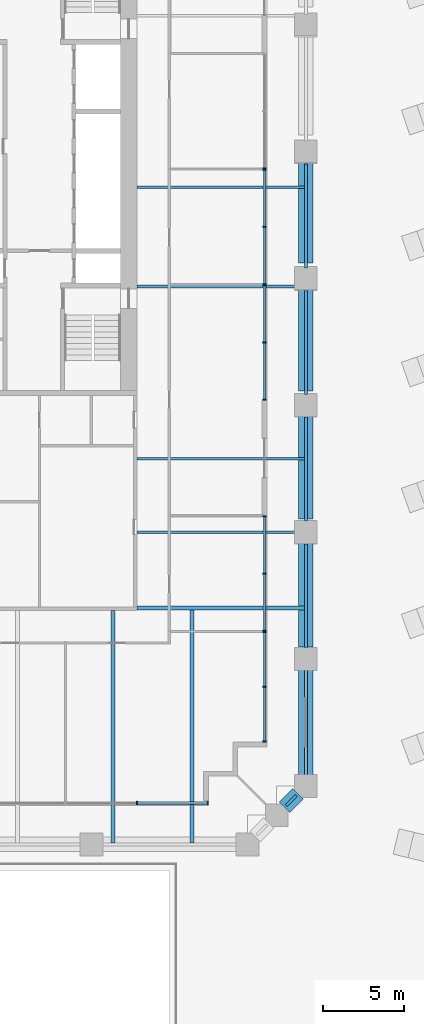
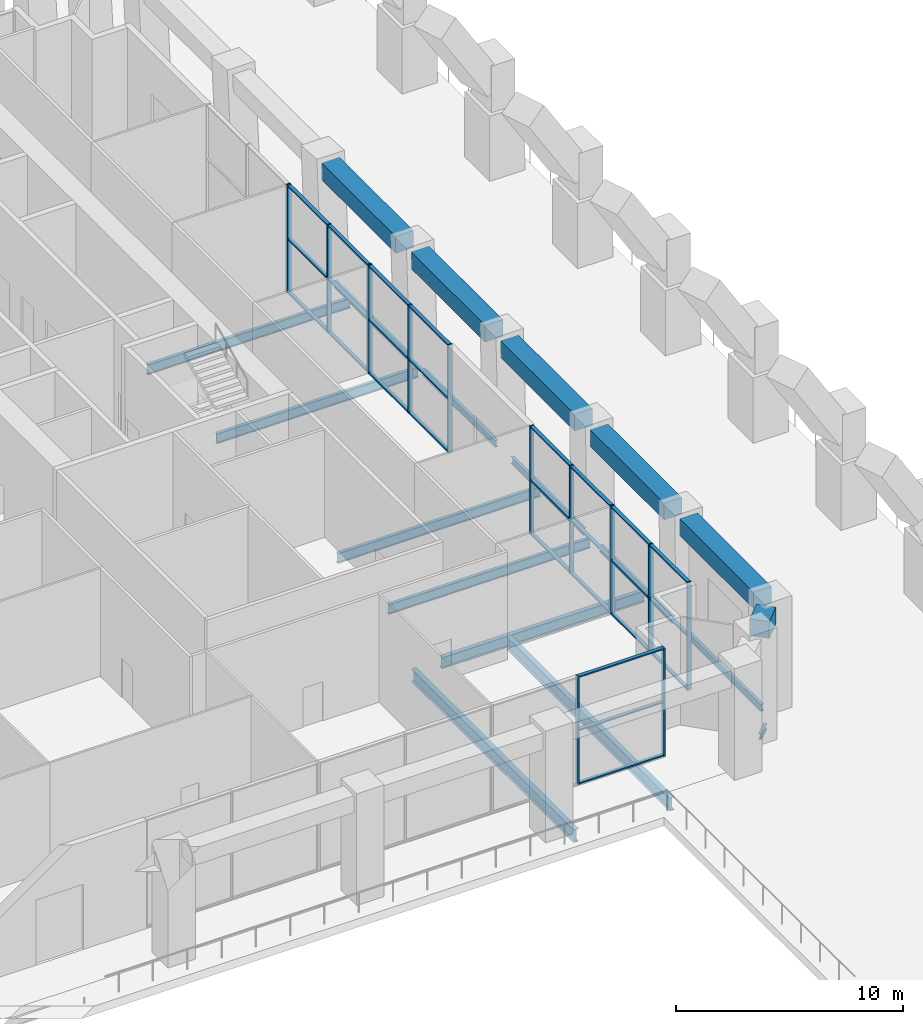
# One storey, part 6 of 20: 42 members, 19 beams, 6 elements without a shape of their own.
"""IFC4 building model written with IfcOpenShell, lengths in metres."""

from ifc_helpers import new_model, si_unit, direction, frame, origin, origin_2d, place, context, subcontext, project, spatial, rectangle, i_section, extrude, material, material_profile, profile_set, type_object, element, aggregate, save


model = new_model("IFC4")

# Units and contexts
model_context = context("Model", 3, precision=1e-05, world=origin(), true_north=direction((0.0, 1.0)))
body_context = subcontext(model_context, "Body", "Model", "MODEL_VIEW")
ifc_project = project(units=[si_unit("LENGTHUNIT", "METRE"), si_unit("AREAUNIT", "SQUARE_METRE"), si_unit("VOLUMEUNIT", "CUBIC_METRE"), si_unit("PLANEANGLEUNIT", "RADIAN"), si_unit("MASSUNIT", "GRAM", prefix="KILO")], contexts=[model_context])

# Site, building, storey
site_placement = place(None, origin())
site = spatial("IfcSite", under=ifc_project, at=site_placement, CompositionType="ELEMENT")
building_placement = place(site_placement, origin())
building = spatial("IfcBuilding", under=site, at=building_placement, Name="Ogive Exchange Tower", CompositionType="ELEMENT")
storey_placement = place(building_placement, frame((0.0, 0.0, 33.60009765625)))
storey = spatial("IfcBuildingStorey", under=building, at=storey_placement, Name="L06", CompositionType="ELEMENT", Elevation=33.60009765625)

# Beams
ifc_material_1 = material(Name="Steel ASTM A992 Gr50", Category="steel")
ifc_material_profile_1 = material_profile(ifc_material_1, i_section(OverallWidth=0.1669921875, OverallDepth=0.535888671875, WebThickness=0.01025390625, FlangeThickness=0.0166015625, at=origin_2d()), Name="W530x85")
ifc_profile_set_1 = profile_set([ifc_material_profile_1], Name="Steel ASTM A992 Gr50")
beam_type_1 = type_object("IfcBeamType", Name="Floor beam W530x85", PredefinedType="JOIST", material=ifc_profile_set_1)
beam_1_placement = place(storey_placement, frame((22.0, -11.17822265625, -0.718017578125), z_axis=(1.0, 0.0, 0.0), x_axis=(0.0, 1.0, 0.0)))
element("IfcBeam", 1, at=beam_1_placement, inside=storey, type_object=beam_type_1, Name="Floor beam", PredefinedType="JOIST", context=body_context, shape_type="SweptSolid", body=[
    extrude(i_section(OverallWidth=0.1669921875, OverallDepth=0.535888671875, WebThickness=0.01025390625, FlangeThickness=0.0166015625, at=origin_2d()), origin(), (0.0, 0.0, 1.0), 10.2451171875),
])
beam_2_placement = place(storey_placement, frame((22.0, -6.666748046875, -0.718017578125), z_axis=(1.0, 0.0, 0.0), x_axis=(0.0, 1.0, 0.0)))
element("IfcBeam", 2, at=beam_2_placement, inside=storey, type_object=beam_type_1, Name="Floor beam", PredefinedType="JOIST", context=body_context, shape_type="SweptSolid", body=[
    extrude(i_section(OverallWidth=0.1669921875, OverallDepth=0.535888671875, WebThickness=0.01025390625, FlangeThickness=0.0166015625, at=origin_2d()), origin(), (0.0, 0.0, 1.0), 10.314453125),
])
beam_3_placement = place(storey_placement, frame((22.0, 3.9482421875, -0.718017578125), z_axis=(1.0, 0.0, 0.0), x_axis=(0.0, 1.0, 0.0)))
element("IfcBeam", 3, at=beam_3_placement, inside=storey, type_object=beam_type_1, Name="Floor beam", PredefinedType="JOIST", context=body_context, shape_type="SweptSolid", body=[
    extrude(i_section(OverallWidth=0.1669921875, OverallDepth=0.535888671875, WebThickness=0.01025390625, FlangeThickness=0.0166015625, at=origin_2d()), origin(), (0.0, 0.0, 1.0), 10.2451171875),
])
beam_4_placement = place(storey_placement, frame((22.0, 10.0517578125, -0.718017578125), z_axis=(1.0, 0.0, 0.0), x_axis=(0.0, 1.0, 0.0)))
element("IfcBeam", 4, at=beam_4_placement, inside=storey, type_object=beam_type_1, Name="Floor beam", PredefinedType="JOIST", context=body_context, shape_type="SweptSolid", body=[
    extrude(i_section(OverallWidth=0.1669921875, OverallDepth=0.535888671875, WebThickness=0.01025390625, FlangeThickness=0.0166015625, at=origin_2d()), origin(), (0.0, 0.0, 1.0), 10.314453125),
])
ifc_material_profile_2 = material_profile(ifc_material_1, i_section(OverallWidth=0.25390625, OverallDepth=0.68310546875, WebThickness=0.012451171875, FlangeThickness=0.018798828125, at=origin_2d()), Name="W690x140")
ifc_profile_set_2 = profile_set([ifc_material_profile_2], Name="Steel ASTM A992 Gr50")
beam_type_2 = type_object("IfcBeamType", Name="Floor beam W690x140", PredefinedType="JOIST", material=ifc_profile_set_2)
beam_5_placement = place(storey_placement, frame((20.51953125, -30.304443359375, -0.79150390625), z_axis=(0.0, 1.0, 0.0), x_axis=(-1.0, 0.0, 0.0)))
element("IfcBeam", 5, at=beam_5_placement, inside=storey, type_object=beam_type_2, Name="Floor beam", PredefinedType="JOIST", context=body_context, shape_type="SweptSolid", body=[
    extrude(i_section(OverallWidth=0.25390625, OverallDepth=0.68310546875, WebThickness=0.012451171875, FlangeThickness=0.018798828125, at=origin_2d()), origin(), (0.0, 0.0, 1.0), 14.304443359375),
])
beam_6_placement = place(storey_placement, frame((25.38232421875, -30.304443359375, -0.79150390625), z_axis=(0.0, 1.0, 0.0), x_axis=(-1.0, 0.0, 0.0)))
element("IfcBeam", 6, at=beam_6_placement, inside=storey, type_object=beam_type_2, Name="Floor beam", PredefinedType="JOIST", context=body_context, shape_type="SweptSolid", body=[
    extrude(i_section(OverallWidth=0.25390625, OverallDepth=0.68310546875, WebThickness=0.012451171875, FlangeThickness=0.018798828125, at=origin_2d()), origin(), (0.0, 0.0, 1.0), 14.345458984375),
])
ifc_material_profile_3 = material_profile(ifc_material_1, i_section(OverallWidth=0.1650390625, OverallDepth=0.31005859375, WebThickness=0.005859375, FlangeThickness=0.009765625, at=origin_2d()), Name="W310x38.7")
ifc_profile_set_3 = profile_set([ifc_material_profile_3], Name="Steel ASTM A992 Gr50")
beam_type_3 = type_object("IfcBeamType", Name="Girder W310x38.7", PredefinedType="BEAM", material=ifc_profile_set_3)
beam_7_placement = place(storey_placement, frame((31.194091796875, -28.006103515625, -0.60498046875), z_axis=(0.706965712506, 0.707247821729, 0.0), x_axis=(-0.707247821729, 0.706965712506, 0.0)))
element("IfcBeam", 7, at=beam_7_placement, inside=storey, type_object=beam_type_3, Name="Girder", PredefinedType="BEAM", context=body_context, shape_type="SweptSolid", body=[
    extrude(i_section(OverallWidth=0.1650390625, OverallDepth=0.31005859375, WebThickness=0.005859375, FlangeThickness=0.009765625, at=origin_2d()), origin(), (0.0, 0.0, 1.0), 0.865478515625),
])
ifc_material_profile_4 = material_profile(ifc_material_1, i_section(OverallWidth=0.1708984375, OverallDepth=0.35595703125, WebThickness=0.00732421875, FlangeThickness=0.01171875, at=origin_2d()), Name="W360x51")
ifc_profile_set_4 = profile_set([ifc_material_profile_4], Name="Steel ASTM A992 Gr50")
beam_type_4 = type_object("IfcBeamType", Name="Girder W360x51", PredefinedType="BEAM", material=ifc_profile_set_4)
beam_8_placement = place(storey_placement, frame((32.39990234375, 5.10009765625, -0.628173828125), z_axis=(0.0, 1.0, 0.0), x_axis=(-1.0, 0.0, 0.0)))
element("IfcBeam", 8, at=beam_8_placement, inside=storey, type_object=beam_type_4, Name="Girder", PredefinedType="BEAM", context=body_context, shape_type="SweptSolid", body=[
    extrude(i_section(OverallWidth=0.1708984375, OverallDepth=0.35595703125, WebThickness=0.00732421875, FlangeThickness=0.01171875, at=origin_2d()), origin(), (0.0, 0.0, 1.0), 6.39990234375),
])
for number, where, z_axis, x_axis, name in (
    (9, (32.39990234375, -26.10009765625, -0.628173828125), (0.0, 1.0, 0.0), (-1.0, 0.0, 0.0), "Girder"),
    (10, (32.39990234375, -18.300048828125, -0.628173828125), (0.0, 1.0, 0.0), (-1.0, 0.0, 0.0), "Girder"),
):
    element("IfcBeam", number, at=place(storey_placement, frame(where, z_axis=z_axis, x_axis=x_axis)), inside=storey, type_object=beam_type_4, Name=name, PredefinedType="BEAM", context=body_context, shape_type="SweptSolid", body=[
        extrude(i_section(OverallWidth=0.1708984375, OverallDepth=0.35595703125, WebThickness=0.00732421875, FlangeThickness=0.01171875, at=origin_2d()), origin(), (0.0, 0.0, 1.0), 6.400146484375),
    ])
for number, where, z_axis, x_axis, name in (
    (11, (32.39990234375, -10.5, -0.628173828125), (0.0, 1.0, 0.0), (-1.0, 0.0, 0.0), "Girder"),
    (12, (32.39990234375, -2.699951171875, -0.628173828125), (0.0, 1.0, 0.0), (-1.0, 0.0, 0.0), "Girder"),
):
    element("IfcBeam", number, at=place(storey_placement, frame(where, z_axis=z_axis, x_axis=x_axis)), inside=storey, type_object=beam_type_4, Name=name, PredefinedType="BEAM", context=body_context, shape_type="SweptSolid", body=[
        extrude(i_section(OverallWidth=0.1708984375, OverallDepth=0.35595703125, WebThickness=0.00732421875, FlangeThickness=0.01171875, at=origin_2d()), origin(), (0.0, 0.0, 1.0), 6.39990234375),
    ])
ifc_material_profile_5 = material_profile(ifc_material_1, i_section(OverallWidth=0.22802734375, OverallDepth=0.60205078125, WebThickness=0.010498046875, FlangeThickness=0.014892578125, at=origin_2d()), Name="W610x101")
ifc_profile_set_5 = profile_set([ifc_material_profile_5], Name="Steel ASTM A992 Gr50")
beam_type_5 = type_object("IfcBeamType", Name="Girder W610x101", PredefinedType="BEAM", material=ifc_profile_set_5)
beam_9_placement = place(storey_placement, frame((22.0, -15.844970703125, -0.7509765625), z_axis=(1.0, 0.0, 0.0), x_axis=(0.0, 1.0, 0.0)))
element("IfcBeam", 13, at=beam_9_placement, inside=storey, type_object=beam_type_5, Name="Header girder", PredefinedType="BEAM", context=body_context, shape_type="SweptSolid", body=[
    extrude(i_section(OverallWidth=0.22802734375, OverallDepth=0.60205078125, WebThickness=0.010498046875, FlangeThickness=0.014892578125, at=origin_2d()), origin(), (0.0, 0.0, 1.0), 10.314453125),
])
ifc_material_2 = material(Name="Precast concrete C70/85 (limestone faced)", Category="masonry")
ifc_material_profile_6 = material_profile(ifc_material_2, rectangle(XDim=0.89990234375, YDim=0.89990234375, at=origin_2d()), Name="900 x 900")
ifc_profile_set_6 = profile_set([ifc_material_profile_6], Name="Precast concrete C70/85 (limestone faced)")
beam_type_6 = type_object("IfcBeamType", Name="Precast spandrel 900 x 900 C70/85", PredefinedType="SPANDREL", material=ifc_profile_set_6)
beam_10_placement = place(storey_placement, frame((31.087890625, -28.112060546875, 5.2998046875), z_axis=(0.707106781187, 0.707106781187, 0.0), x_axis=(-0.707106781187, 0.707106781187, 0.0)))
element("IfcBeam", 14, at=beam_10_placement, inside=storey, type_object=beam_type_6, Name="Spandrel 8", PredefinedType="SPANDREL", context=body_context, shape_type="SweptSolid", body=[
    extrude(rectangle(XDim=0.89990234375, YDim=0.89990234375, at=origin_2d()), origin(), (0.0, 0.0, 1.0), 1.16552734375),
])
for number, where, z_axis, x_axis, name in (
    (15, (32.39990234375, -26.1201171875, 5.2998046875), (0.0, 1.0, 0.0), (-1.0, 0.0, 0.0), "Spandrel 9"),
    (16, (32.39990234375, -18.2421875, 5.2998046875), (0.0, 1.0, 0.0), (-1.0, 0.0, 0.0), "Spandrel 10"),
    (17, (32.39990234375, -10.3642578125, 5.2998046875), (0.0, 1.0, 0.0), (-1.0, 0.0, 0.0), "Spandrel 11"),
):
    element("IfcBeam", number, at=place(storey_placement, frame(where, z_axis=z_axis, x_axis=x_axis)), inside=storey, type_object=beam_type_6, Name=name, PredefinedType="SPANDREL", context=body_context, shape_type="SweptSolid", body=[
        extrude(rectangle(XDim=0.89990234375, YDim=0.89990234375, at=origin_2d()), origin(), (0.0, 0.0, 1.0), 6.51806640625),
    ])
beam_11_placement = place(storey_placement, frame((32.39990234375, -2.486083984375, 5.2998046875), z_axis=(0.0, 1.0, 0.0), x_axis=(-1.0, 0.0, 0.0)))
element("IfcBeam", 18, at=beam_11_placement, inside=storey, type_object=beam_type_6, Name="Spandrel 12", PredefinedType="SPANDREL", context=body_context, shape_type="SweptSolid", body=[
    extrude(rectangle(XDim=0.89990234375, YDim=0.89990234375, at=origin_2d()), origin(), (0.0, 0.0, 1.0), 6.517822265625),
])
beam_12_placement = place(storey_placement, frame((32.39990234375, 5.3916015625, 5.2998046875), z_axis=(0.0, 1.0, 0.0), x_axis=(-1.0, 0.0, 0.0)))
element("IfcBeam", 19, at=beam_12_placement, inside=storey, type_object=beam_type_6, Name="Spandrel 13", PredefinedType="SPANDREL", context=body_context, shape_type="SweptSolid", body=[
    extrude(rectangle(XDim=0.89990234375, YDim=0.89990234375, at=origin_2d()), origin(), (0.0, 0.0, 1.0), 6.51806640625),
])

# Curtain wall, members
ifc_material_3 = material(Name="Anodised aluminium and clear glass", Category="aluminium")
curtain_wall_type = type_object("IfcCurtainWallType", Name="Sky lobby glazing", PredefinedType="NOTDEFINED", material=ifc_material_3)
curtain_wall_1_placement = place(storey_placement, origin())
curtain_wall_1 = element("IfcCurtainWall", 20, at=curtain_wall_1_placement, inside=storey, type_object=curtain_wall_type, Name="Sky lobby glazing run G6", PredefinedType="NOTDEFINED")
ifc_material_4 = material(Name="Anodised aluminium", Category="aluminium")
ifc_material_profile_7 = material_profile(ifc_material_4, rectangle(XDim=0.219970703125, YDim=0.070068359375, at=origin_2d()), Name="AL 70x220")
ifc_profile_set_7 = profile_set([ifc_material_profile_7], Name="Anodised aluminium")
member_type_1 = type_object("IfcMemberType", Name="Sky lobby glazing mullion 70 x 220", PredefinedType="MULLION", material=ifc_profile_set_7)
member_1_placement = place(storey_placement, frame((22.0, -27.85009765625, 0.0), z_axis=(0.0, 0.0, 1.0), x_axis=(0.0, 1.0, 0.0)))
member_1 = element("IfcMember", 21, at=member_1_placement, type_object=member_type_1, Name="G6 mullion 2", PredefinedType="MULLION", context=body_context, shape_type="SweptSolid", body=[
    extrude(rectangle(XDim=0.219970703125, YDim=0.070068359375, at=origin_2d()), origin(), (0.0, 0.0, 1.0), 5.7998046875),
])
member_2_placement = place(storey_placement, frame((26.364990234375, -27.85009765625, 0.0), z_axis=(0.0, 0.0, 1.0), x_axis=(0.0, 1.0, 0.0)))
member_2 = element("IfcMember", 22, at=member_2_placement, type_object=member_type_1, Name="G6 mullion 3", PredefinedType="MULLION", context=body_context, shape_type="SweptSolid", body=[
    extrude(rectangle(XDim=0.219970703125, YDim=0.070068359375, at=origin_2d()), origin(), (0.0, 0.0, 1.0), 5.7998046875),
])

curtain_wall_2_placement = place(storey_placement, origin())
curtain_wall_2 = element("IfcCurtainWall", 23, at=curtain_wall_2_placement, inside=storey, type_object=curtain_wall_type, Name="Sky lobby glazing run G7", PredefinedType="NOTDEFINED")
member_3_placement = place(storey_placement, frame((29.85009765625, -24.06494140625, 0.0), z_axis=(0.0, 0.0, 1.0), x_axis=(-1.0, 0.0, 0.0)))
member_3 = element("IfcMember", 24, at=member_3_placement, type_object=member_type_1, Name="G7 mullion 1", PredefinedType="MULLION", context=body_context, shape_type="SweptSolid", body=[
    extrude(rectangle(XDim=0.219970703125, YDim=0.070068359375, at=origin_2d()), origin(), (0.0, 0.0, 1.0), 5.7998046875),
])
member_4_placement = place(storey_placement, frame((29.85009765625, -20.69287109375, 0.0), z_axis=(0.0, 0.0, 1.0), x_axis=(-1.0, 0.0, 0.0)))
member_4 = element("IfcMember", 25, at=member_4_placement, type_object=member_type_1, Name="G7 mullion 2", PredefinedType="MULLION", context=body_context, shape_type="SweptSolid", body=[
    extrude(rectangle(XDim=0.219970703125, YDim=0.070068359375, at=origin_2d()), origin(), (0.0, 0.0, 1.0), 5.7998046875),
])
member_5_placement = place(storey_placement, frame((29.85009765625, -17.32080078125, 0.0), z_axis=(0.0, 0.0, 1.0), x_axis=(-1.0, 0.0, 0.0)))
member_5 = element("IfcMember", 26, at=member_5_placement, type_object=member_type_1, Name="G7 mullion 3", PredefinedType="MULLION", context=body_context, shape_type="SweptSolid", body=[
    extrude(rectangle(XDim=0.219970703125, YDim=0.070068359375, at=origin_2d()), origin(), (0.0, 0.0, 1.0), 5.7998046875),
])

curtain_wall_3_placement = place(storey_placement, origin())
curtain_wall_3 = element("IfcCurtainWall", 27, at=curtain_wall_3_placement, inside=storey, type_object=curtain_wall_type, Name="Sky lobby glazing run G8", PredefinedType="NOTDEFINED")
member_6_placement = place(storey_placement, frame((29.85009765625, -17.250732421875, 0.0), z_axis=(0.0, 0.0, 1.0), x_axis=(-1.0, 0.0, 0.0)))
member_6 = element("IfcMember", 28, at=member_6_placement, type_object=member_type_1, Name="G8 mullion 1", PredefinedType="MULLION", context=body_context, shape_type="SweptSolid", body=[
    extrude(rectangle(XDim=0.219970703125, YDim=0.070068359375, at=origin_2d()), origin(), (0.0, 0.0, 1.0), 5.7998046875),
])
member_7_placement = place(storey_placement, frame((29.85009765625, -13.728515625, 0.0), z_axis=(0.0, 0.0, 1.0), x_axis=(-1.0, 0.0, 0.0)))
member_7 = element("IfcMember", 29, at=member_7_placement, type_object=member_type_1, Name="G8 mullion 2", PredefinedType="MULLION", context=body_context, shape_type="SweptSolid", body=[
    extrude(rectangle(XDim=0.219970703125, YDim=0.070068359375, at=origin_2d()), origin(), (0.0, 0.0, 1.0), 5.7998046875),
])
member_8_placement = place(storey_placement, frame((29.85009765625, -10.206298828125, 0.0), z_axis=(0.0, 0.0, 1.0), x_axis=(-1.0, 0.0, 0.0)))
member_8 = element("IfcMember", 30, at=member_8_placement, type_object=member_type_1, Name="G8 mullion 3", PredefinedType="MULLION", context=body_context, shape_type="SweptSolid", body=[
    extrude(rectangle(XDim=0.219970703125, YDim=0.070068359375, at=origin_2d()), origin(), (0.0, 0.0, 1.0), 5.7998046875),
])

curtain_wall_4_placement = place(storey_placement, origin())
curtain_wall_4 = element("IfcCurtainWall", 31, at=curtain_wall_4_placement, inside=storey, type_object=curtain_wall_type, Name="Sky lobby glazing run G10", PredefinedType="NOTDEFINED")
member_9_placement = place(storey_placement, frame((29.85009765625, -3.022216796875, 0.0), z_axis=(0.0, 0.0, 1.0), x_axis=(-1.0, 0.0, 0.0)))
member_9 = element("IfcMember", 32, at=member_9_placement, type_object=member_type_1, Name="G10 mullion 1", PredefinedType="MULLION", context=body_context, shape_type="SweptSolid", body=[
    extrude(rectangle(XDim=0.219970703125, YDim=0.070068359375, at=origin_2d()), origin(), (0.0, 0.0, 1.0), 5.7998046875),
])
member_10_placement = place(storey_placement, frame((29.85009765625, 0.5, 0.0), z_axis=(0.0, 0.0, 1.0), x_axis=(-1.0, 0.0, 0.0)))
member_10 = element("IfcMember", 33, at=member_10_placement, type_object=member_type_1, Name="G10 mullion 2", PredefinedType="MULLION", context=body_context, shape_type="SweptSolid", body=[
    extrude(rectangle(XDim=0.219970703125, YDim=0.070068359375, at=origin_2d()), origin(), (0.0, 0.0, 1.0), 5.7998046875),
])
member_11_placement = place(storey_placement, frame((29.85009765625, 4.022216796875, 0.0), z_axis=(0.0, 0.0, 1.0), x_axis=(-1.0, 0.0, 0.0)))
member_11 = element("IfcMember", 34, at=member_11_placement, type_object=member_type_1, Name="G10 mullion 3", PredefinedType="MULLION", context=body_context, shape_type="SweptSolid", body=[
    extrude(rectangle(XDim=0.219970703125, YDim=0.070068359375, at=origin_2d()), origin(), (0.0, 0.0, 1.0), 5.7998046875),
])

curtain_wall_5_placement = place(storey_placement, origin())
curtain_wall_5 = element("IfcCurtainWall", 35, at=curtain_wall_5_placement, inside=storey, type_object=curtain_wall_type, Name="Sky lobby glazing run G11", PredefinedType="NOTDEFINED")
member_12_placement = place(storey_placement, frame((29.85009765625, 4.092041015625, 0.0), z_axis=(0.0, 0.0, 1.0), x_axis=(-1.0, 0.0, 0.0)))
member_12 = element("IfcMember", 36, at=member_12_placement, type_object=member_type_1, Name="G11 mullion 1", PredefinedType="MULLION", context=body_context, shape_type="SweptSolid", body=[
    extrude(rectangle(XDim=0.219970703125, YDim=0.070068359375, at=origin_2d()), origin(), (0.0, 0.0, 1.0), 5.7998046875),
])
member_13_placement = place(storey_placement, frame((29.85009765625, 7.6142578125, 0.0), z_axis=(0.0, 0.0, 1.0), x_axis=(-1.0, 0.0, 0.0)))
member_13 = element("IfcMember", 37, at=member_13_placement, type_object=member_type_1, Name="G11 mullion 2", PredefinedType="MULLION", context=body_context, shape_type="SweptSolid", body=[
    extrude(rectangle(XDim=0.219970703125, YDim=0.070068359375, at=origin_2d()), origin(), (0.0, 0.0, 1.0), 5.7998046875),
])
member_14_placement = place(storey_placement, frame((29.85009765625, 11.136474609375, 0.0), z_axis=(0.0, 0.0, 1.0), x_axis=(-1.0, 0.0, 0.0)))
member_14 = element("IfcMember", 38, at=member_14_placement, type_object=member_type_1, Name="G11 mullion 3", PredefinedType="MULLION", context=body_context, shape_type="SweptSolid", body=[
    extrude(rectangle(XDim=0.219970703125, YDim=0.070068359375, at=origin_2d()), origin(), (0.0, 0.0, 1.0), 5.7998046875),
])

# Curtain wall, member
curtain_wall_6_placement = place(storey_placement, origin())
curtain_wall_6 = element("IfcCurtainWall", 39, at=curtain_wall_6_placement, inside=storey, type_object=curtain_wall_type, Name="Sky lobby glazing run G12", PredefinedType="NOTDEFINED")
member_15_placement = place(storey_placement, frame((29.85009765625, 11.206298828125, 0.0), z_axis=(0.0, 0.0, 1.0), x_axis=(-1.0, 0.0, 0.0)))
member_15 = element("IfcMember", 40, at=member_15_placement, type_object=member_type_1, Name="G12 mullion 1", PredefinedType="MULLION", context=body_context, shape_type="SweptSolid", body=[
    extrude(rectangle(XDim=0.219970703125, YDim=0.070068359375, at=origin_2d()), origin(), (0.0, 0.0, 1.0), 5.7998046875),
])
aggregate(curtain_wall_6, [member_15])

# Member
ifc_material_profile_8 = material_profile(ifc_material_4, rectangle(XDim=0.179931640625, YDim=0.070068359375, at=origin_2d()), Name="AL 70x180")
ifc_profile_set_8 = profile_set([ifc_material_profile_8], Name="Anodised aluminium")
member_type_2 = type_object("IfcMemberType", Name="Sky lobby glazing transom 70 x 180", PredefinedType="USERDEFINED", material=ifc_profile_set_8)
member_16_placement = place(storey_placement, frame((22.034912109375, -27.85009765625, 0.034912109375), z_axis=(1.0, 0.0, 0.0), x_axis=(0.0, 1.0, 0.0)))
member_16 = element("IfcMember", 41, at=member_16_placement, type_object=member_type_2, Name="G6 transom 2.1", ObjectType="TRANSOM", PredefinedType="USERDEFINED", context=body_context, shape_type="SweptSolid", body=[
    extrude(rectangle(XDim=0.179931640625, YDim=0.070068359375, at=origin_2d()), origin(), (0.0, 0.0, 1.0), 4.295166015625),
])

member_17_placement = place(storey_placement, frame((22.034912109375, -27.85009765625, 2.89990234375), z_axis=(1.0, 0.0, 0.0), x_axis=(0.0, 1.0, 0.0)))
member_17 = element("IfcMember", 42, at=member_17_placement, type_object=member_type_2, Name="G6 transom 2.2", ObjectType="TRANSOM", PredefinedType="USERDEFINED", context=body_context, shape_type="SweptSolid", body=[
    extrude(rectangle(XDim=0.179931640625, YDim=0.070068359375, at=origin_2d()), origin(), (0.0, 0.0, 1.0), 4.295166015625),
])

member_18_placement = place(storey_placement, frame((22.034912109375, -27.85009765625, 5.764892578125), z_axis=(1.0, 0.0, 0.0), x_axis=(0.0, 1.0, 0.0)))
member_18 = element("IfcMember", 43, at=member_18_placement, type_object=member_type_2, Name="G6 transom 2.3", ObjectType="TRANSOM", PredefinedType="USERDEFINED", context=body_context, shape_type="SweptSolid", body=[
    extrude(rectangle(XDim=0.179931640625, YDim=0.070068359375, at=origin_2d()), origin(), (0.0, 0.0, 1.0), 4.295166015625),
])

aggregate(curtain_wall_1, [member_1, member_2, member_16, member_17, member_18])

member_19_placement = place(storey_placement, frame((29.85009765625, -24.030029296875, 0.034912109375), z_axis=(0.0, 1.0, 0.0), x_axis=(-1.0, 0.0, 0.0)))
member_19 = element("IfcMember", 44, at=member_19_placement, type_object=member_type_2, Name="G7 transom 1.1", ObjectType="TRANSOM", PredefinedType="USERDEFINED", context=body_context, shape_type="SweptSolid", body=[
    extrude(rectangle(XDim=0.179931640625, YDim=0.070068359375, at=origin_2d()), origin(), (0.0, 0.0, 1.0), 3.30224609375),
])

member_20_placement = place(storey_placement, frame((29.85009765625, -24.030029296875, 2.89990234375), z_axis=(0.0, 1.0, 0.0), x_axis=(-1.0, 0.0, 0.0)))
member_20 = element("IfcMember", 45, at=member_20_placement, type_object=member_type_2, Name="G7 transom 1.2", ObjectType="TRANSOM", PredefinedType="USERDEFINED", context=body_context, shape_type="SweptSolid", body=[
    extrude(rectangle(XDim=0.179931640625, YDim=0.070068359375, at=origin_2d()), origin(), (0.0, 0.0, 1.0), 3.30224609375),
])

member_21_placement = place(storey_placement, frame((29.85009765625, -24.030029296875, 5.764892578125), z_axis=(0.0, 1.0, 0.0), x_axis=(-1.0, 0.0, 0.0)))
member_21 = element("IfcMember", 46, at=member_21_placement, type_object=member_type_2, Name="G7 transom 1.3", ObjectType="TRANSOM", PredefinedType="USERDEFINED", context=body_context, shape_type="SweptSolid", body=[
    extrude(rectangle(XDim=0.179931640625, YDim=0.070068359375, at=origin_2d()), origin(), (0.0, 0.0, 1.0), 3.30224609375),
])

member_22_placement = place(storey_placement, frame((29.85009765625, -20.657958984375, 0.034912109375), z_axis=(0.0, 1.0, 0.0), x_axis=(-1.0, 0.0, 0.0)))
member_22 = element("IfcMember", 47, at=member_22_placement, type_object=member_type_2, Name="G7 transom 2.1", ObjectType="TRANSOM", PredefinedType="USERDEFINED", context=body_context, shape_type="SweptSolid", body=[
    extrude(rectangle(XDim=0.179931640625, YDim=0.070068359375, at=origin_2d()), origin(), (0.0, 0.0, 1.0), 3.30224609375),
])

member_23_placement = place(storey_placement, frame((29.85009765625, -20.657958984375, 2.89990234375), z_axis=(0.0, 1.0, 0.0), x_axis=(-1.0, 0.0, 0.0)))
member_23 = element("IfcMember", 48, at=member_23_placement, type_object=member_type_2, Name="G7 transom 2.2", ObjectType="TRANSOM", PredefinedType="USERDEFINED", context=body_context, shape_type="SweptSolid", body=[
    extrude(rectangle(XDim=0.179931640625, YDim=0.070068359375, at=origin_2d()), origin(), (0.0, 0.0, 1.0), 3.30224609375),
])

member_24_placement = place(storey_placement, frame((29.85009765625, -20.657958984375, 5.764892578125), z_axis=(0.0, 1.0, 0.0), x_axis=(-1.0, 0.0, 0.0)))
member_24 = element("IfcMember", 49, at=member_24_placement, type_object=member_type_2, Name="G7 transom 2.3", ObjectType="TRANSOM", PredefinedType="USERDEFINED", context=body_context, shape_type="SweptSolid", body=[
    extrude(rectangle(XDim=0.179931640625, YDim=0.070068359375, at=origin_2d()), origin(), (0.0, 0.0, 1.0), 3.30224609375),
])

aggregate(curtain_wall_2, [member_3, member_4, member_5, member_19, member_20, member_21, member_22, member_23, member_24])

member_25_placement = place(storey_placement, frame((29.85009765625, -17.2158203125, 0.034912109375), z_axis=(0.0, 1.0, 0.0), x_axis=(-1.0, 0.0, 0.0)))
member_25 = element("IfcMember", 50, at=member_25_placement, type_object=member_type_2, Name="G8 transom 1.1", ObjectType="TRANSOM", PredefinedType="USERDEFINED", context=body_context, shape_type="SweptSolid", body=[
    extrude(rectangle(XDim=0.179931640625, YDim=0.070068359375, at=origin_2d()), origin(), (0.0, 0.0, 1.0), 3.4521484375),
])

member_26_placement = place(storey_placement, frame((29.85009765625, -17.2158203125, 2.89990234375), z_axis=(0.0, 1.0, 0.0), x_axis=(-1.0, 0.0, 0.0)))
member_26 = element("IfcMember", 51, at=member_26_placement, type_object=member_type_2, Name="G8 transom 1.2", ObjectType="TRANSOM", PredefinedType="USERDEFINED", context=body_context, shape_type="SweptSolid", body=[
    extrude(rectangle(XDim=0.179931640625, YDim=0.070068359375, at=origin_2d()), origin(), (0.0, 0.0, 1.0), 3.4521484375),
])

member_27_placement = place(storey_placement, frame((29.85009765625, -17.2158203125, 5.764892578125), z_axis=(0.0, 1.0, 0.0), x_axis=(-1.0, 0.0, 0.0)))
member_27 = element("IfcMember", 52, at=member_27_placement, type_object=member_type_2, Name="G8 transom 1.3", ObjectType="TRANSOM", PredefinedType="USERDEFINED", context=body_context, shape_type="SweptSolid", body=[
    extrude(rectangle(XDim=0.179931640625, YDim=0.070068359375, at=origin_2d()), origin(), (0.0, 0.0, 1.0), 3.4521484375),
])

member_28_placement = place(storey_placement, frame((29.85009765625, -13.693603515625, 0.034912109375), z_axis=(0.0, 1.0, 0.0), x_axis=(-1.0, 0.0, 0.0)))
member_28 = element("IfcMember", 53, at=member_28_placement, type_object=member_type_2, Name="G8 transom 2.1", ObjectType="TRANSOM", PredefinedType="USERDEFINED", context=body_context, shape_type="SweptSolid", body=[
    extrude(rectangle(XDim=0.179931640625, YDim=0.070068359375, at=origin_2d()), origin(), (0.0, 0.0, 1.0), 3.4521484375),
])

member_29_placement = place(storey_placement, frame((29.85009765625, -13.693603515625, 2.89990234375), z_axis=(0.0, 1.0, 0.0), x_axis=(-1.0, 0.0, 0.0)))
member_29 = element("IfcMember", 54, at=member_29_placement, type_object=member_type_2, Name="G8 transom 2.2", ObjectType="TRANSOM", PredefinedType="USERDEFINED", context=body_context, shape_type="SweptSolid", body=[
    extrude(rectangle(XDim=0.179931640625, YDim=0.070068359375, at=origin_2d()), origin(), (0.0, 0.0, 1.0), 3.4521484375),
])

member_30_placement = place(storey_placement, frame((29.85009765625, -13.693603515625, 5.764892578125), z_axis=(0.0, 1.0, 0.0), x_axis=(-1.0, 0.0, 0.0)))
member_30 = element("IfcMember", 55, at=member_30_placement, type_object=member_type_2, Name="G8 transom 2.3", ObjectType="TRANSOM", PredefinedType="USERDEFINED", context=body_context, shape_type="SweptSolid", body=[
    extrude(rectangle(XDim=0.179931640625, YDim=0.070068359375, at=origin_2d()), origin(), (0.0, 0.0, 1.0), 3.4521484375),
])

aggregate(curtain_wall_3, [member_6, member_7, member_8, member_25, member_26, member_27, member_28, member_29, member_30])

member_31_placement = place(storey_placement, frame((29.85009765625, -2.987060546875, 0.034912109375), z_axis=(0.0, 1.0, 0.0), x_axis=(-1.0, 0.0, 0.0)))
member_31 = element("IfcMember", 56, at=member_31_placement, type_object=member_type_2, Name="G10 transom 1.1", ObjectType="TRANSOM", PredefinedType="USERDEFINED", context=body_context, shape_type="SweptSolid", body=[
    extrude(rectangle(XDim=0.179931640625, YDim=0.070068359375, at=origin_2d()), origin(), (0.0, 0.0, 1.0), 3.4521484375),
])

member_32_placement = place(storey_placement, frame((29.85009765625, -2.987060546875, 2.89990234375), z_axis=(0.0, 1.0, 0.0), x_axis=(-1.0, 0.0, 0.0)))
member_32 = element("IfcMember", 57, at=member_32_placement, type_object=member_type_2, Name="G10 transom 1.2", ObjectType="TRANSOM", PredefinedType="USERDEFINED", context=body_context, shape_type="SweptSolid", body=[
    extrude(rectangle(XDim=0.179931640625, YDim=0.070068359375, at=origin_2d()), origin(), (0.0, 0.0, 1.0), 3.4521484375),
])

member_33_placement = place(storey_placement, frame((29.85009765625, -2.987060546875, 5.764892578125), z_axis=(0.0, 1.0, 0.0), x_axis=(-1.0, 0.0, 0.0)))
member_33 = element("IfcMember", 58, at=member_33_placement, type_object=member_type_2, Name="G10 transom 1.3", ObjectType="TRANSOM", PredefinedType="USERDEFINED", context=body_context, shape_type="SweptSolid", body=[
    extrude(rectangle(XDim=0.179931640625, YDim=0.070068359375, at=origin_2d()), origin(), (0.0, 0.0, 1.0), 3.4521484375),
])

member_34_placement = place(storey_placement, frame((29.85009765625, 0.534912109375, 0.034912109375), z_axis=(0.0, 1.0, 0.0), x_axis=(-1.0, 0.0, 0.0)))
member_34 = element("IfcMember", 59, at=member_34_placement, type_object=member_type_2, Name="G10 transom 2.1", ObjectType="TRANSOM", PredefinedType="USERDEFINED", context=body_context, shape_type="SweptSolid", body=[
    extrude(rectangle(XDim=0.179931640625, YDim=0.070068359375, at=origin_2d()), origin(), (0.0, 0.0, 1.0), 3.4521484375),
])

member_35_placement = place(storey_placement, frame((29.85009765625, 0.534912109375, 2.89990234375), z_axis=(0.0, 1.0, 0.0), x_axis=(-1.0, 0.0, 0.0)))
member_35 = element("IfcMember", 60, at=member_35_placement, type_object=member_type_2, Name="G10 transom 2.2", ObjectType="TRANSOM", PredefinedType="USERDEFINED", context=body_context, shape_type="SweptSolid", body=[
    extrude(rectangle(XDim=0.179931640625, YDim=0.070068359375, at=origin_2d()), origin(), (0.0, 0.0, 1.0), 3.4521484375),
])

member_36_placement = place(storey_placement, frame((29.85009765625, 0.534912109375, 5.764892578125), z_axis=(0.0, 1.0, 0.0), x_axis=(-1.0, 0.0, 0.0)))
member_36 = element("IfcMember", 61, at=member_36_placement, type_object=member_type_2, Name="G10 transom 2.3", ObjectType="TRANSOM", PredefinedType="USERDEFINED", context=body_context, shape_type="SweptSolid", body=[
    extrude(rectangle(XDim=0.179931640625, YDim=0.070068359375, at=origin_2d()), origin(), (0.0, 0.0, 1.0), 3.4521484375),
])

aggregate(curtain_wall_4, [member_9, member_10, member_11, member_31, member_32, member_33, member_34, member_35, member_36])

member_37_placement = place(storey_placement, frame((29.85009765625, 4.127197265625, 0.034912109375), z_axis=(0.0, 1.0, 0.0), x_axis=(-1.0, 0.0, 0.0)))
member_37 = element("IfcMember", 62, at=member_37_placement, type_object=member_type_2, Name="G11 transom 1.1", ObjectType="TRANSOM", PredefinedType="USERDEFINED", context=body_context, shape_type="SweptSolid", body=[
    extrude(rectangle(XDim=0.179931640625, YDim=0.070068359375, at=origin_2d()), origin(), (0.0, 0.0, 1.0), 3.4521484375),
])

member_38_placement = place(storey_placement, frame((29.85009765625, 4.127197265625, 2.89990234375), z_axis=(0.0, 1.0, 0.0), x_axis=(-1.0, 0.0, 0.0)))
member_38 = element("IfcMember", 63, at=member_38_placement, type_object=member_type_2, Name="G11 transom 1.2", ObjectType="TRANSOM", PredefinedType="USERDEFINED", context=body_context, shape_type="SweptSolid", body=[
    extrude(rectangle(XDim=0.179931640625, YDim=0.070068359375, at=origin_2d()), origin(), (0.0, 0.0, 1.0), 3.4521484375),
])

member_39_placement = place(storey_placement, frame((29.85009765625, 4.127197265625, 5.764892578125), z_axis=(0.0, 1.0, 0.0), x_axis=(-1.0, 0.0, 0.0)))
member_39 = element("IfcMember", 64, at=member_39_placement, type_object=member_type_2, Name="G11 transom 1.3", ObjectType="TRANSOM", PredefinedType="USERDEFINED", context=body_context, shape_type="SweptSolid", body=[
    extrude(rectangle(XDim=0.179931640625, YDim=0.070068359375, at=origin_2d()), origin(), (0.0, 0.0, 1.0), 3.4521484375),
])

member_40_placement = place(storey_placement, frame((29.85009765625, 7.649169921875, 0.034912109375), z_axis=(0.0, 1.0, 0.0), x_axis=(-1.0, 0.0, 0.0)))
member_40 = element("IfcMember", 65, at=member_40_placement, type_object=member_type_2, Name="G11 transom 2.1", ObjectType="TRANSOM", PredefinedType="USERDEFINED", context=body_context, shape_type="SweptSolid", body=[
    extrude(rectangle(XDim=0.179931640625, YDim=0.070068359375, at=origin_2d()), origin(), (0.0, 0.0, 1.0), 3.4521484375),
])

member_41_placement = place(storey_placement, frame((29.85009765625, 7.649169921875, 2.89990234375), z_axis=(0.0, 1.0, 0.0), x_axis=(-1.0, 0.0, 0.0)))
member_41 = element("IfcMember", 66, at=member_41_placement, type_object=member_type_2, Name="G11 transom 2.2", ObjectType="TRANSOM", PredefinedType="USERDEFINED", context=body_context, shape_type="SweptSolid", body=[
    extrude(rectangle(XDim=0.179931640625, YDim=0.070068359375, at=origin_2d()), origin(), (0.0, 0.0, 1.0), 3.4521484375),
])

member_42_placement = place(storey_placement, frame((29.85009765625, 7.649169921875, 5.764892578125), z_axis=(0.0, 1.0, 0.0), x_axis=(-1.0, 0.0, 0.0)))
member_42 = element("IfcMember", 67, at=member_42_placement, type_object=member_type_2, Name="G11 transom 2.3", ObjectType="TRANSOM", PredefinedType="USERDEFINED", context=body_context, shape_type="SweptSolid", body=[
    extrude(rectangle(XDim=0.179931640625, YDim=0.070068359375, at=origin_2d()), origin(), (0.0, 0.0, 1.0), 3.4521484375),
])

aggregate(curtain_wall_5, [member_12, member_13, member_14, member_37, member_38, member_39, member_40, member_41, member_42])

save(model, "model.ifc")
